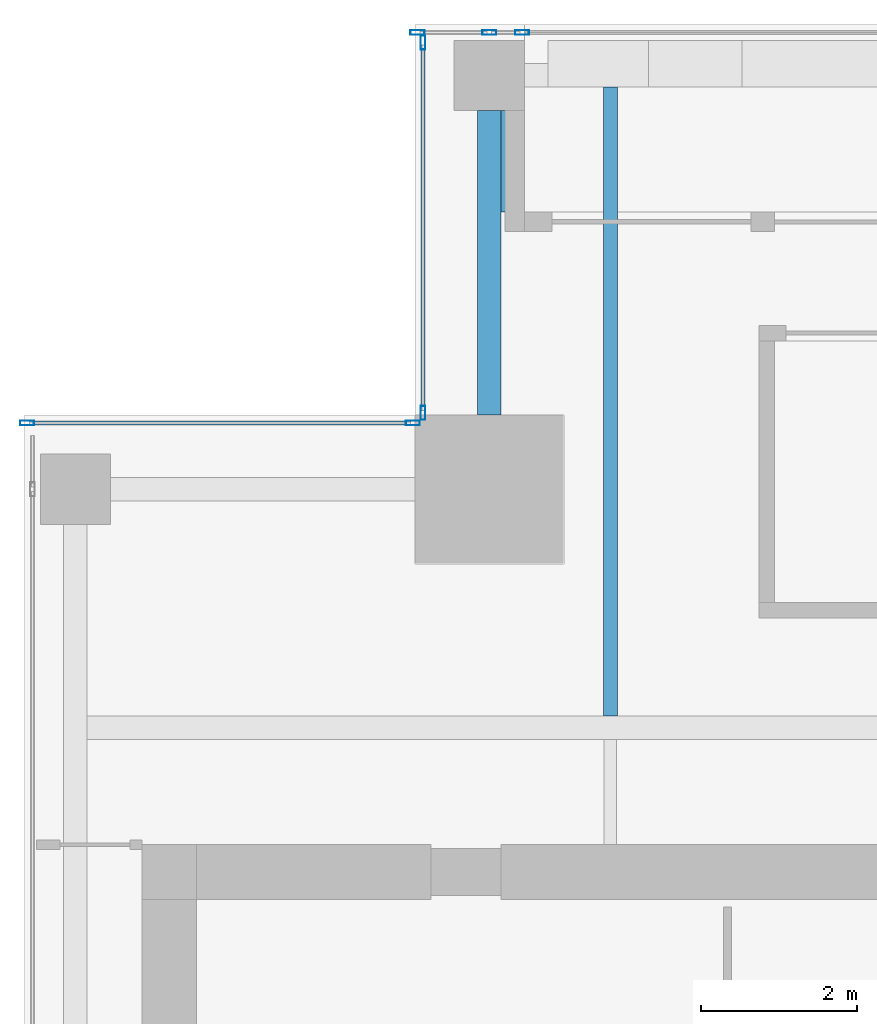
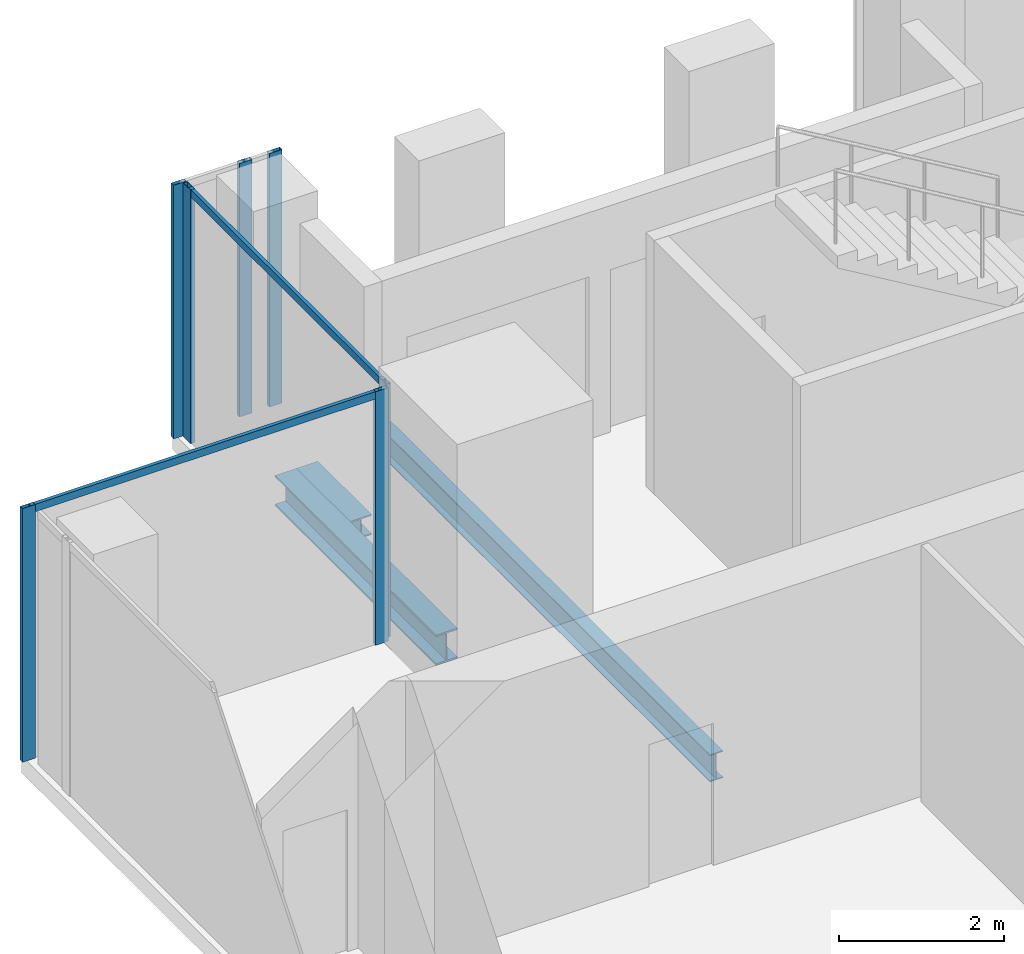
# One storey, part 18 of 36: 9 members, 3 beams, 3 elements without a shape of their own.
"""IFC4 building model written with IfcOpenShell, lengths in metres."""

import ifcopenshell
import ifcopenshell.guid

model = None  # the IFC model being written
_history = None  # IfcOwnerHistory: only IFC2X3 demands one
_inside = {}  # id of a spatial element -> (the spatial element, [elements in it])
_under = {}  # id of a project, library or spatial element -> (it, [spatial elements below it])
_declared = {}  # id of a project -> (the project, [libraries it declares])
_typed = {}  # id of a type object -> (the type object, [elements of that type])
_made_of = {}  # id of a material, layer set ... -> (it, [elements and type objects made of it])


def new_model(schema):
    """Start an empty IFC model of exactly this schema.

    Asked for "IFC4X3", IfcOpenShell would pick the latest addendum, in which some entities
    have other attributes; the version numbers below select the first issue.
    IFC2X3 requires an IfcOwnerHistory on every rooted entity: one is made here for all.
    """
    global model, _history
    if schema == "IFC4X3":
        model = ifcopenshell.file(schema_version=(4, 3, 0, 0))
    else:
        model = ifcopenshell.file(schema=schema)
    _inside.clear()
    _under.clear()
    _declared.clear()
    _typed.clear()
    _made_of.clear()
    _history = None
    if model.schema == "IFC2X3":
        org = make("IfcOrganization", Name="unknown")
        user = make(
            "IfcPersonAndOrganization",
            ThePerson=make("IfcPerson", FamilyName="unknown"),
            TheOrganization=org,
        )
        app = make(
            "IfcApplication",
            ApplicationDeveloper=org,
            Version="unknown",
            ApplicationFullName="unknown",
            ApplicationIdentifier="unknown",
        )
        _history = make(
            "IfcOwnerHistory",
            OwningUser=user,
            OwningApplication=app,
            ChangeAction="ADDED",
            CreationDate=0,
        )
    return model


def make(cls, **values):
    """One entity of the class cls with the attributes given. An attribute that is None is left unset."""
    return model.create_entity(
        cls, **{name: value for name, value in values.items() if value is not None}
    )


def rooted(cls, **values):
    """An entity with a GlobalId (a new one), such as an element, a storey or a relation."""
    return make(cls, GlobalId=ifcopenshell.guid.new(), OwnerHistory=_history, **values)


def si_unit(unit_type, name, prefix=None):
    """IfcSIUnit, for example si_unit("LENGTHUNIT", "METRE", prefix="MILLI")."""
    return make("IfcSIUnit", UnitType=unit_type, Prefix=prefix, Name=name)


def assignment(units):
    """IfcUnitAssignment: the units of a project."""
    return None if units is None else make("IfcUnitAssignment", Units=units)


def point(xyz):
    """IfcCartesianPoint."""
    return None if xyz is None else make("IfcCartesianPoint", Coordinates=xyz)


def direction(xyz):
    """IfcDirection."""
    return None if xyz is None else make("IfcDirection", DirectionRatios=xyz)


def frame(location, z_axis=None, x_axis=None):
    """IfcAxis2Placement3D, a coordinate frame: its origin and axes. An axis left out is left unset."""
    return make(
        "IfcAxis2Placement3D",
        Location=point(location),
        Axis=direction(z_axis),
        RefDirection=direction(x_axis),
    )


def frame_2d(location, x_axis=None):
    """IfcAxis2Placement2D, a coordinate frame in the plane: its origin and x axis."""
    return make(
        "IfcAxis2Placement2D", Location=point(location), RefDirection=direction(x_axis)
    )


def origin():
    """The frame at (0, 0, 0) with its axes left unset."""
    return frame((0.0, 0.0, 0.0))


def origin_2d():
    """The frame at (0, 0) in the plane with its x axis left unset."""
    return frame_2d((0.0, 0.0))


def place(relative_to, where):
    """IfcLocalPlacement: puts the frame where relative to a parent placement (None: the world)."""
    return make(
        "IfcLocalPlacement", PlacementRelTo=relative_to, RelativePlacement=where
    )


def context(
    kind, dimensions, precision=None, world=None, true_north=None, identifier=None
):
    """IfcGeometricRepresentationContext, for example the 3D "Model" context."""
    return make(
        "IfcGeometricRepresentationContext",
        ContextIdentifier=identifier,
        ContextType=kind,
        CoordinateSpaceDimension=dimensions,
        Precision=precision,
        WorldCoordinateSystem=world,
        TrueNorth=true_north,
    )


def subcontext(parent, identifier, kind, view, scale=None):
    """IfcGeometricRepresentationSubContext, for example "Body" below "Model"."""
    return make(
        "IfcGeometricRepresentationSubContext",
        ContextIdentifier=identifier,
        ContextType=kind,
        ParentContext=parent,
        TargetScale=scale,
        TargetView=view,
    )


def project(units=None, contexts=None):
    """IfcProject with its units and contexts."""
    return rooted(
        "IfcProject",
        Name="project",
        RepresentationContexts=contexts,
        UnitsInContext=assignment(units),
    )


def spatial(cls, under=None, at=None, **own):
    """A site, building, storey or space (cls), placed at a placement, below another one or the project."""
    s = rooted(cls, ObjectPlacement=at, **own)
    if under is not None:
        _under.setdefault(under.id(), (under, []))[1].append(s)
    return s


def profile(cls, at=None, kind="AREA", **sizes):
    """A parametric profile (cls). Its sizes go by their IFC names, for example OverallWidth=200.0."""
    return make(cls, ProfileType=kind, Position=at, **sizes)


def hollow_rectangle(**sizes):
    """IfcRectangleHollowProfileDef."""
    return profile("IfcRectangleHollowProfileDef", **sizes)


def i_section(**sizes):
    """IfcIShapeProfileDef."""
    return profile("IfcIShapeProfileDef", **sizes)


def extrude(swept, where, along, depth):
    """IfcExtrudedAreaSolid: the profile swept, set in the frame where, extruded along a direction by depth."""
    return make(
        "IfcExtrudedAreaSolid",
        SweptArea=swept,
        Position=where,
        ExtrudedDirection=direction(along),
        Depth=depth,
    )


def shape(context_of_items, identifier, shape_type, items):
    """IfcShapeRepresentation: the items that make up one representation, for example the "Body"."""
    return make(
        "IfcShapeRepresentation",
        ContextOfItems=context_of_items,
        RepresentationIdentifier=identifier,
        RepresentationType=shape_type,
        Items=items,
    )


def source(mapping_origin, context_of_items, identifier, shape_type, items):
    """IfcRepresentationMap: a shape defined once, which mapped items show again and again."""
    return make(
        "IfcRepresentationMap",
        MappingOrigin=mapping_origin,
        MappedRepresentation=shape(context_of_items, identifier, shape_type, items),
    )


def transform(
    local_origin,
    x_axis=None,
    y_axis=None,
    z_axis=None,
    scale=None,
    scale2=None,
    scale3=None,
    uniform=True,
):
    """IfcCartesianTransformationOperator3D, or its non-uniform kind. x_axis, y_axis, z_axis: its Axis1, 2, 3."""
    if uniform:
        return make(
            "IfcCartesianTransformationOperator3D",
            Axis1=direction(x_axis),
            Axis2=direction(y_axis),
            LocalOrigin=point(local_origin),
            Scale=scale,
            Axis3=direction(z_axis),
        )
    return make(
        "IfcCartesianTransformationOperator3DnonUniform",
        Axis1=direction(x_axis),
        Axis2=direction(y_axis),
        LocalOrigin=point(local_origin),
        Scale=scale,
        Axis3=direction(z_axis),
        Scale2=scale2,
        Scale3=scale3,
    )


def mapped(mapping_source, mapping_target):
    """IfcMappedItem: shows the shape of a source again, moved by a transform."""
    return make(
        "IfcMappedItem", MappingSource=mapping_source, MappingTarget=mapping_target
    )


def material(Name=None, Category=None):
    """IfcMaterial."""
    return make("IfcMaterial", Name=Name, Category=Category)


def material_profile(
    of_material, cross_section, Name=None, Category=None, Priority=None
):
    """IfcMaterialProfile: a cross section and its material."""
    return make(
        "IfcMaterialProfile",
        Name=Name,
        Material=of_material,
        Profile=cross_section,
        Priority=Priority,
        Category=Category,
    )


def profile_set(profiles, Name=None, composite=None):
    """IfcMaterialProfileSet."""
    return make(
        "IfcMaterialProfileSet",
        Name=Name,
        MaterialProfiles=profiles,
        CompositeProfile=composite,
    )


def made_of(thing, what):
    """Note that an element or type object is made of a material, layer set ...; save() writes the relation."""
    if what is not None:
        _made_of.setdefault(what.id(), (what, []))[1].append(thing)
    return thing


def type_object(cls, material=None, **own):
    """A type object (cls), such as IfcWallType, which elements share."""
    return made_of(rooted(cls, **own), material)


def element(
    cls,
    number,
    at=None,
    inside=None,
    cuts=None,
    type_object=None,
    material=None,
    context=None,
    identifier="Body",
    shape_type=None,
    held_by="IfcProductDefinitionShape",
    body=None,
    shapes=None,
    **own,
):
    """One element of the class cls, such as IfcWall. Its Tag is "e" and its number.

    at: its placement. inside: the storey or other place that contains it. cuts: it is an
    opening in that element (IfcRelVoidsElement). A single representation is given by context,
    identifier, shape_type and body (its items); several are given by shapes. held_by: the class
    of the entity that holds the representations. save() writes the other relations.
    """
    e = rooted(cls, Tag="e%d" % number, ObjectPlacement=at, **own)
    if body is not None:
        shapes = [shape(context, identifier, shape_type, body)]
    if shapes is not None:
        e.Representation = make(held_by, Representations=shapes)
    if inside is not None:
        _inside.setdefault(inside.id(), (inside, []))[1].append(e)
    if cuts is not None:
        rooted(
            "IfcRelVoidsElement", RelatingBuildingElement=cuts, RelatedOpeningElement=e
        )
    if type_object is not None:
        _typed.setdefault(type_object.id(), (type_object, []))[1].append(e)
    return made_of(e, material)


def aggregate(whole, parts):
    """IfcRelAggregates: a whole, such as a stair, and the parts it consists of."""
    return rooted("IfcRelAggregates", RelatingObject=whole, RelatedObjects=parts)


def save(model, path):
    """Write the relations noted so far, then the file.

    IfcRelAggregates (storeys below a building ...), IfcRelContainedInSpatialStructure (elements
    in a storey), IfcRelDefinesByType, IfcRelAssociatesMaterial and IfcRelDeclares: one each for
    every whole, place, type object, material and project.
    """
    for whole, parts in _under.values():
        aggregate(whole, parts)
    for where, things in _inside.values():
        rooted(
            "IfcRelContainedInSpatialStructure",
            RelatedElements=things,
            RelatingStructure=where,
        )
    for kind, things in _typed.values():
        rooted("IfcRelDefinesByType", RelatedObjects=things, RelatingType=kind)
    for what, things in _made_of.values():
        rooted("IfcRelAssociatesMaterial", RelatedObjects=things, RelatingMaterial=what)
    for by, libraries in _declared.values():
        rooted("IfcRelDeclares", RelatingContext=by, RelatedDefinitions=libraries)
    model.write(path)


model = new_model("IFC4")

# Units and contexts
model_context = context("Model", 3, precision=1e-05, world=origin(), true_north=direction((0.0, 1.0)))
body_context = subcontext(model_context, "Body", "Model", "MODEL_VIEW")
ifc_project = project(units=[si_unit("LENGTHUNIT", "METRE"), si_unit("AREAUNIT", "SQUARE_METRE"), si_unit("VOLUMEUNIT", "CUBIC_METRE"), si_unit("PLANEANGLEUNIT", "RADIAN"), si_unit("MASSUNIT", "GRAM", prefix="KILO")], contexts=[model_context])

# Site, building, storey
site_placement = place(None, origin())
site = spatial("IfcSite", under=ifc_project, at=site_placement, CompositionType="ELEMENT")
building_placement = place(site_placement, origin())
building = spatial("IfcBuilding", under=site, at=building_placement, Name="Khomas Fold Tower", CompositionType="ELEMENT")
storey_placement = place(building_placement, frame((0.0, 0.0, 226.199951171875)))
storey = spatial("IfcBuildingStorey", under=building, at=storey_placement, Name="L50", CompositionType="ELEMENT", Elevation=226.199951171875)

# Beams
ifc_material_1 = material(Name="Steel S355", Category="steel")
ifc_material_profile_1 = material_profile(ifc_material_1, i_section(OverallWidth=0.300048828125, OverallDepth=0.449951171875, WebThickness=0.013916015625, FlangeThickness=0.02587890625, at=origin_2d()), Name="HE 450 B")
ifc_profile_set_1 = profile_set([ifc_material_profile_1], Name="Steel S355")
beam_type_1 = type_object("IfcBeamType", Name="HE 450 B spandrel SB4", PredefinedType="SPANDREL", material=ifc_profile_set_1)
shared_shape_1 = source(origin(), body_context, "Body", "SweptSolid", [
    extrude(i_section(OverallWidth=0.300048828125, OverallDepth=0.449951171875, WebThickness=0.013916015625, FlangeThickness=0.02587890625, at=origin_2d()), origin(), (0.0, 0.0, 1.0), 3.89990234375),
])
beam_1_placement = place(storey_placement, frame((10.449951171875, 44.5, -0.474853515625), z_axis=(0.0, 1.0, 0.0), x_axis=(-1.0, 0.0, 0.0)))
element("IfcBeam", 1, at=beam_1_placement, inside=storey, type_object=beam_type_1, Name="SB4", PredefinedType="SPANDREL", context=body_context, shape_type="MappedRepresentation", body=[
    mapped(shared_shape_1, transform((0.0, 0.0, 0.0))),
])
ifc_material_2 = material(Name="Steel S355", Category="steel")
ifc_material_profile_2 = material_profile(ifc_material_2, i_section(OverallWidth=0.179931640625, OverallDepth=0.39990234375, WebThickness=0.008544921875, FlangeThickness=0.013427734375, at=origin_2d()), Name="IPE 400")
ifc_profile_set_2 = profile_set([ifc_material_profile_2], Name="Steel S355")
beam_type_2 = type_object("IfcBeamType", Name="IPE 400 beam JB3", PredefinedType="BEAM", material=ifc_profile_set_2)
shared_shape_2 = source(origin(), body_context, "Body", "SweptSolid", [
    extrude(i_section(OverallWidth=0.179931640625, OverallDepth=0.39990234375, WebThickness=0.008544921875, FlangeThickness=0.013427734375, at=origin_2d()), origin(), (0.0, 0.0, 1.0), 8.050048828125),
])
beam_2_placement = place(storey_placement, frame((12.0, 40.64990234375, -0.449951171875), z_axis=(0.0, 1.0, 0.0), x_axis=(-1.0, 0.0, 0.0)))
element("IfcBeam", 2, at=beam_2_placement, inside=storey, type_object=beam_type_2, Name="JB3", PredefinedType="BEAM", context=body_context, shape_type="MappedRepresentation", body=[
    mapped(shared_shape_2, transform((0.0, 0.0, 0.0))),
])
ifc_material_3 = material(Name="Steel S355", Category="steel")
ifc_material_profile_3 = material_profile(ifc_material_3, i_section(OverallWidth=0.300048828125, OverallDepth=0.300048828125, WebThickness=0.010986328125, FlangeThickness=0.01904296875, at=origin_2d()), Name="HE 300 B")
ifc_profile_set_3 = profile_set([ifc_material_profile_3], Name="Steel S355")
beam_type_3 = type_object("IfcBeamType", Name="HE 300 B beam BB1", PredefinedType="BEAM", material=ifc_profile_set_3)
shared_shape_3 = source(origin(), body_context, "Body", "SweptSolid", [
    extrude(i_section(OverallWidth=0.300048828125, OverallDepth=0.300048828125, WebThickness=0.010986328125, FlangeThickness=0.01904296875, at=origin_2d()), origin(), (0.0, 0.0, 1.0), 1.2998046875),
])
beam_3_placement = place(storey_placement, frame((10.75, 47.10009765625, -0.39990234375), z_axis=(0.0, 1.0, 0.0), x_axis=(-1.0, 0.0, 0.0)))
element("IfcBeam", 3, at=beam_3_placement, inside=storey, type_object=beam_type_3, Name="BB1", PredefinedType="BEAM", context=body_context, shape_type="MappedRepresentation", body=[
    mapped(shared_shape_3, transform((0.0, 0.0, 0.0))),
])

# Curtain wall, members
ifc_material_4 = material(Name="Aluminium framed double glazing", Category="aluminium")
curtain_wall_type = type_object("IfcCurtainWallType", Name="SK-Unitised clear-glass wall, office floors CW2", PredefinedType="NOTDEFINED", material=ifc_material_4)
curtain_wall_1_placement = place(storey_placement, origin())
curtain_wall_1 = element("IfcCurtainWall", 4, at=curtain_wall_1_placement, inside=storey, type_object=curtain_wall_type, Name="CW2 run L50 06-1", PredefinedType="NOTDEFINED")
ifc_material_5 = material(Name="Aluminium", Category="aluminium")
ifc_material_profile_4 = material_profile(ifc_material_5, hollow_rectangle(XDim=0.06005859375, YDim=0.179931640625, WallThickness=0.00390625, at=origin_2d()), Name="SK-Unitised clear-glass wall, office floors mullion CW2-M")
ifc_profile_set_4 = profile_set([ifc_material_profile_4], Name="Aluminium")
member_type_1 = type_object("IfcMemberType", Name="SK-Unitised clear-glass wall, office floors mullion CW2-M", PredefinedType="MULLION", material=ifc_profile_set_4)
shared_shape_4 = source(origin(), body_context, "Body", "SweptSolid", [
    extrude(hollow_rectangle(XDim=0.06005859375, YDim=0.179931640625, WallThickness=0.00390625, at=origin_2d()), origin(), (0.0, 0.0, 1.0), 3.75),
])
member_1_placement = place(storey_placement, frame((10.8701171875, 49.39990234375, 0.0), z_axis=(0.0, 0.0, 1.0), x_axis=(0.0, -1.0, 0.0)))
member_1 = element("IfcMember", 5, at=member_1_placement, type_object=member_type_1, Name="CW2 mullion 1", PredefinedType="MULLION", context=body_context, shape_type="MappedRepresentation", body=[
    mapped(shared_shape_4, transform((0.0, 0.0, 0.0))),
])
member_2_placement = place(storey_placement, frame((10.449951171875, 49.39990234375, 0.0), z_axis=(0.0, 0.0, 1.0), x_axis=(0.0, -1.0, 0.0)))
member_2 = element("IfcMember", 6, at=member_2_placement, type_object=member_type_1, Name="CW2 mullion 2", PredefinedType="MULLION", context=body_context, shape_type="MappedRepresentation", body=[
    mapped(shared_shape_4, transform((0.0, 0.0, 0.0))),
])
member_3_placement = place(storey_placement, frame((9.530029296875, 49.39990234375, 0.0), z_axis=(0.0, 0.0, 1.0), x_axis=(0.0, -1.0, 0.0)))
member_3 = element("IfcMember", 7, at=member_3_placement, type_object=member_type_1, Name="CW2 mullion 3", PredefinedType="MULLION", context=body_context, shape_type="MappedRepresentation", body=[
    mapped(shared_shape_4, transform((0.0, 0.0, 0.0))),
])
aggregate(curtain_wall_1, [member_1, member_2, member_3])

curtain_wall_2_placement = place(storey_placement, origin())
curtain_wall_2 = element("IfcCurtainWall", 8, at=curtain_wall_2_placement, inside=storey, type_object=curtain_wall_type, Name="CW2 corner return L50 07", PredefinedType="NOTDEFINED")
member_4_placement = place(storey_placement, frame((9.60009765625, 49.27001953125, 0.0), z_axis=(0.0, 0.0, 1.0), x_axis=(1.0, 0.0, 0.0)))
member_4 = element("IfcMember", 9, at=member_4_placement, type_object=member_type_1, Name="CW2 mullion 1", PredefinedType="MULLION", context=body_context, shape_type="MappedRepresentation", body=[
    mapped(shared_shape_4, transform((0.0, 0.0, 0.0))),
])
member_5_placement = place(storey_placement, frame((9.60009765625, 44.530029296875, 0.0), z_axis=(0.0, 0.0, 1.0), x_axis=(1.0, 0.0, 0.0)))
member_5 = element("IfcMember", 10, at=member_5_placement, type_object=member_type_1, Name="CW2 mullion 2", PredefinedType="MULLION", context=body_context, shape_type="MappedRepresentation", body=[
    mapped(shared_shape_4, transform((0.0, 0.0, 0.0))),
])

curtain_wall_3_placement = place(storey_placement, origin())
curtain_wall_3 = element("IfcCurtainWall", 11, at=curtain_wall_3_placement, inside=storey, type_object=curtain_wall_type, Name="CW2 corner return L50 08", PredefinedType="NOTDEFINED")
member_6_placement = place(storey_placement, frame((9.469970703125, 44.39990234375, 0.0), z_axis=(0.0, 0.0, 1.0), x_axis=(0.0, -1.0, 0.0)))
member_6 = element("IfcMember", 12, at=member_6_placement, type_object=member_type_1, Name="CW2 mullion 1", PredefinedType="MULLION", context=body_context, shape_type="MappedRepresentation", body=[
    mapped(shared_shape_4, transform((0.0, 0.0, 0.0))),
])
member_7_placement = place(storey_placement, frame((4.530029296875, 44.39990234375, 0.0), z_axis=(0.0, 0.0, 1.0), x_axis=(0.0, -1.0, 0.0)))
member_7 = element("IfcMember", 13, at=member_7_placement, type_object=member_type_1, Name="CW2 mullion 2", PredefinedType="MULLION", context=body_context, shape_type="MappedRepresentation", body=[
    mapped(shared_shape_4, transform((0.0, 0.0, 0.0))),
])

# Member
ifc_material_6 = material(Name="Aluminium", Category="aluminium")
ifc_material_profile_5 = material_profile(ifc_material_6, hollow_rectangle(XDim=0.050048828125, YDim=0.110107421875, WallThickness=0.00390625, at=origin_2d()), Name="SK-Unitised clear-glass wall, office floors transom CW2-T")
ifc_profile_set_5 = profile_set([ifc_material_profile_5], Name="Aluminium")
member_type_2 = type_object("IfcMemberType", Name="SK-Unitised clear-glass wall, office floors transom CW2-T", PredefinedType="USERDEFINED", material=ifc_profile_set_5)
shared_shape_5 = source(origin(), body_context, "Body", "SweptSolid", [
    extrude(hollow_rectangle(XDim=0.050048828125, YDim=0.110107421875, WallThickness=0.00390625, at=origin_2d()), origin(), (0.0, 0.0, 1.0), 4.679931640625),
])
member_8_placement = place(storey_placement, frame((9.60009765625, 49.239990234375, 3.695068359375), z_axis=(0.0, -1.0, 0.0), x_axis=(1.0, 0.0, 0.0)))
member_8 = element("IfcMember", 14, at=member_8_placement, type_object=member_type_2, Name="CW2 transom 1", ObjectType="TRANSOM", PredefinedType="USERDEFINED", context=body_context, shape_type="MappedRepresentation", body=[
    mapped(shared_shape_5, transform((0.0, 0.0, 0.0))),
])

aggregate(curtain_wall_2, [member_4, member_5, member_8])

shared_shape_6 = source(origin(), body_context, "Body", "SweptSolid", [
    extrude(hollow_rectangle(XDim=0.050048828125, YDim=0.110107421875, WallThickness=0.00390625, at=origin_2d()), origin(), (0.0, 0.0, 1.0), 4.8798828125),
])
member_9_placement = place(storey_placement, frame((9.43994140625, 44.39990234375, 3.695068359375), z_axis=(-1.0, 0.0, 0.0), x_axis=(0.0, -1.0, 0.0)))
member_9 = element("IfcMember", 15, at=member_9_placement, type_object=member_type_2, Name="CW2 transom 1", ObjectType="TRANSOM", PredefinedType="USERDEFINED", context=body_context, shape_type="MappedRepresentation", body=[
    mapped(shared_shape_6, transform((0.0, 0.0, 0.0))),
])

aggregate(curtain_wall_3, [member_6, member_7, member_9])

save(model, "model.ifc")
